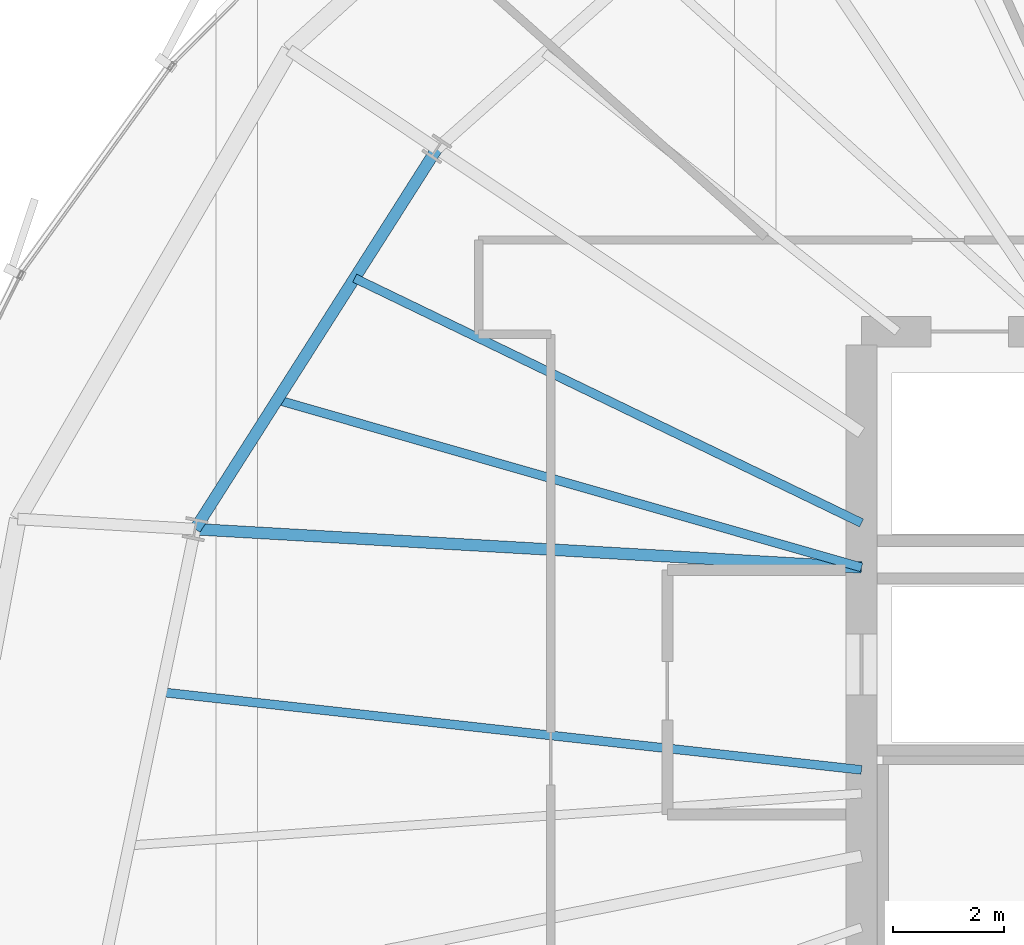
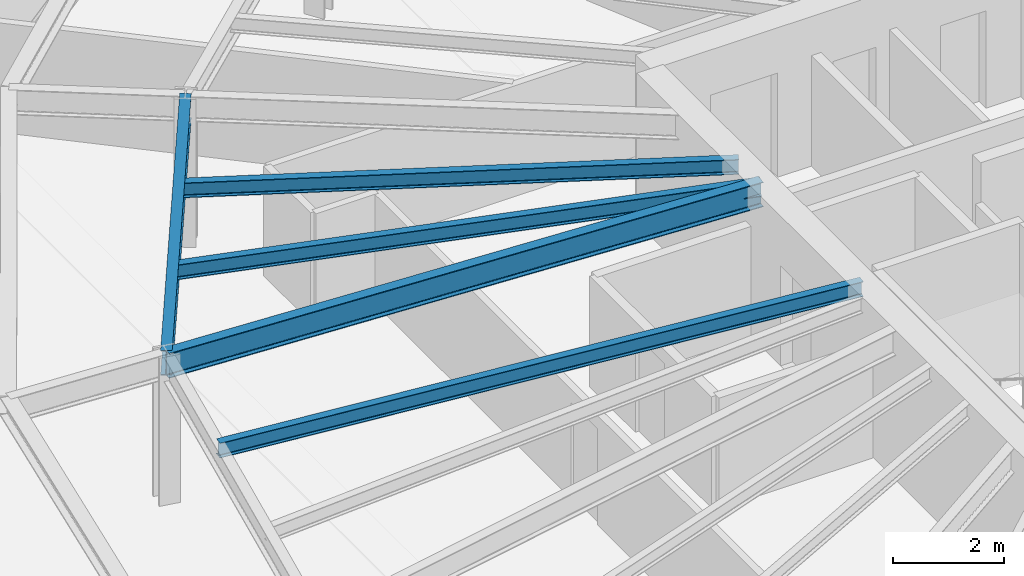
# One storey, part 11 of 37: 5 beams.
"""IFC4 building model written with IfcOpenShell, lengths in metres."""

from ifc_helpers import new_model, si_unit, direction, frame, origin, origin_2d, place, context, subcontext, project, spatial, i_section, extrude, source, transform, mapped, material, material_profile, profile_set, type_object, element, save


model = new_model("IFC4")

# Units and contexts
model_context = context("Model", 3, precision=1e-05, world=origin(), true_north=direction((0.0, 1.0)))
body_context = subcontext(model_context, "Body", "Model", "MODEL_VIEW")
ifc_project = project(units=[si_unit("LENGTHUNIT", "METRE"), si_unit("AREAUNIT", "SQUARE_METRE"), si_unit("VOLUMEUNIT", "CUBIC_METRE"), si_unit("PLANEANGLEUNIT", "RADIAN"), si_unit("MASSUNIT", "GRAM", prefix="KILO"), si_unit("THERMODYNAMICTEMPERATUREUNIT", "KELVIN")], contexts=[model_context])

# Site, building, storey
site_placement = place(None, origin())
site = spatial("IfcSite", under=ifc_project, at=site_placement, CompositionType="ELEMENT")
building_placement = place(site_placement, origin())
building = spatial("IfcBuilding", under=site, at=building_placement, Name="Kethvar Cultural Tower", CompositionType="ELEMENT")
storey_placement = place(building_placement, frame((0.0, 0.0, 132.35009765625)))
storey = spatial("IfcBuildingStorey", under=building, at=storey_placement, Name="L33", CompositionType="ELEMENT", Elevation=132.35009765625)

# Beams
ifc_material = material(Name="Steel S355J2", Category="steel")
ifc_material_profile_1 = material_profile(ifc_material, i_section(OverallWidth=0.2099609375, OverallDepth=0.550048828125, WebThickness=0.010986328125, FlangeThickness=0.01708984375, FilletRadius=0.02392578125, at=origin_2d()), Name="Steel S355J2 — IPE550")
ifc_profile_set_1 = profile_set([ifc_material_profile_1], Name="Steel S355J2 — IPE550")
beam_type_1 = type_object("IfcBeamType", Name="BM-IPE550", PredefinedType="BEAM", material=ifc_profile_set_1)
shared_shape_1 = source(origin(), body_context, "Body", "SweptSolid", [
    extrude(i_section(OverallWidth=0.2099609375, OverallDepth=0.550048828125, WebThickness=0.010986328125, FlangeThickness=0.01708984375, FilletRadius=0.02392578125, at=origin_2d()), origin(), (0.0, 0.0, 1.0), 12.03125),
])
beam_1_placement = place(storey_placement, frame((38.0, 31.25, 3.02294921875), z_axis=(-0.998355544741, 0.057325441856, 0.0), x_axis=(-0.057325441856, -0.998355544741, 0.0)))
element("IfcBeam", 1, at=beam_1_placement, inside=storey, type_object=beam_type_1, Name="L33 Primary Radial Beam RB-08", PredefinedType="BEAM", context=body_context, shape_type="MappedRepresentation", body=[
    mapped(shared_shape_1, transform((0.0, 0.0, 0.0), scale=1.0)),
])
shared_shape_2 = source(origin(), body_context, "Body", "SweptSolid", [
    extrude(i_section(OverallWidth=0.2099609375, OverallDepth=0.550048828125, WebThickness=0.010986328125, FlangeThickness=0.01708984375, FilletRadius=0.02392578125, at=origin_2d()), origin(), (0.0, 0.0, 1.0), 8.122314453125),
])
beam_2_placement = place(storey_placement, frame((30.345947265625, 38.794189453125, 3.02294921875), z_axis=(-0.536478664647, -0.843913883272, 0.0), x_axis=(0.843913883272, -0.536478664647, 0.0)))
element("IfcBeam", 2, at=beam_2_placement, inside=storey, type_object=beam_type_1, Name="L33 Column Ring Tie Beam CR-07", PredefinedType="BEAM", context=body_context, shape_type="MappedRepresentation", body=[
    mapped(shared_shape_2, transform((0.0, 0.0, 0.0), scale=1.0)),
])
ifc_material_profile_2 = material_profile(ifc_material, i_section(OverallWidth=0.159912109375, OverallDepth=0.330078125, WebThickness=0.007568359375, FlangeThickness=0.011474609375, FilletRadius=0.01806640625, at=origin_2d()), Name="Steel S355J2 — IPE330")
ifc_profile_set_2 = profile_set([ifc_material_profile_2], Name="Steel S355J2 — IPE330")
beam_type_2 = type_object("IfcBeamType", Name="BM-J330", PredefinedType="JOIST", material=ifc_profile_set_2)
shared_shape_3 = source(origin(), body_context, "Body", "SweptSolid", [
    extrude(i_section(OverallWidth=0.159912109375, OverallDepth=0.330078125, WebThickness=0.007568359375, FlangeThickness=0.011474609375, FilletRadius=0.01806640625, at=origin_2d()), origin(), (0.0, 0.0, 1.0), 10.1455078125),
])
beam_3_placement = place(storey_placement, frame((38.0, 32.05078125, 3.1328125), z_axis=(-0.90045122575, 0.434956997927, 0.0), x_axis=(-0.434956997927, -0.90045122575, 0.0)))
element("IfcBeam", 3, at=beam_3_placement, inside=storey, type_object=beam_type_2, Name="L33 Composite Floor Joist J-07A", PredefinedType="JOIST", context=body_context, shape_type="MappedRepresentation", body=[
    mapped(shared_shape_3, transform((0.0, 0.0, 0.0), scale=1.0)),
])
shared_shape_4 = source(origin(), body_context, "Body", "SweptSolid", [
    extrude(i_section(OverallWidth=0.159912109375, OverallDepth=0.330078125, WebThickness=0.007568359375, FlangeThickness=0.011474609375, FilletRadius=0.01806640625, at=origin_2d()), origin(), (0.0, 0.0, 1.0), 10.95458984375),
])
beam_4_placement = place(storey_placement, frame((38.0, 31.25, 3.1328125), z_axis=(-0.96124170623, 0.275707058676, 0.0), x_axis=(-0.275707058676, -0.96124170623, 0.0)))
element("IfcBeam", 4, at=beam_4_placement, inside=storey, type_object=beam_type_2, Name="L33 Composite Floor Joist J-07B", PredefinedType="JOIST", context=body_context, shape_type="MappedRepresentation", body=[
    mapped(shared_shape_4, transform((0.0, 0.0, 0.0), scale=1.0)),
])
shared_shape_5 = source(origin(), body_context, "Body", "SweptSolid", [
    extrude(i_section(OverallWidth=0.159912109375, OverallDepth=0.330078125, WebThickness=0.007568359375, FlangeThickness=0.011474609375, FilletRadius=0.01806640625, at=origin_2d()), origin(), (0.0, 0.0, 1.0), 12.7021484375),
])
beam_5_placement = place(storey_placement, frame((38.0, 27.60009765625, 3.1328125), z_axis=(-0.993884906591, 0.110420978309, 0.0), x_axis=(-0.110420978309, -0.993884906591, 0.0)))
element("IfcBeam", 5, at=beam_5_placement, inside=storey, type_object=beam_type_2, Name="L33 Composite Floor Joist J-08A", PredefinedType="JOIST", context=body_context, shape_type="MappedRepresentation", body=[
    mapped(shared_shape_5, transform((0.0, 0.0, 0.0), scale=1.0)),
])

save(model, "model.ifc")
